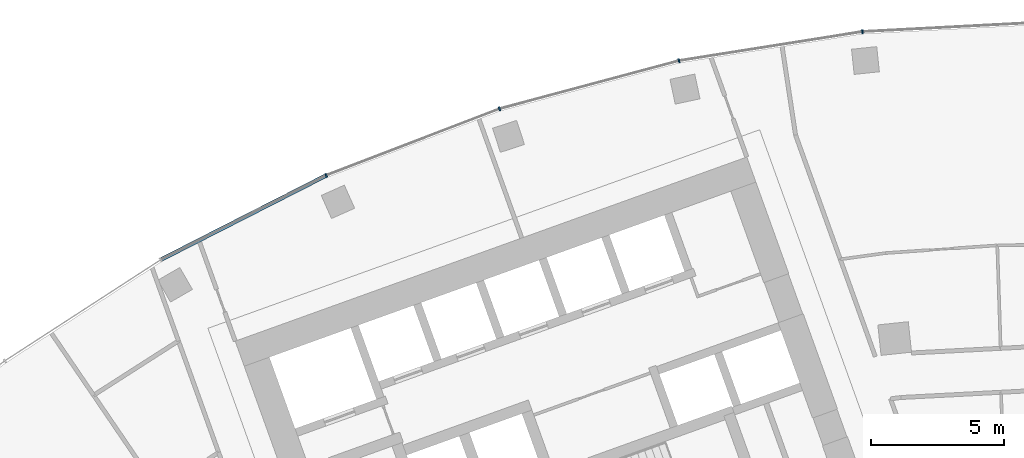
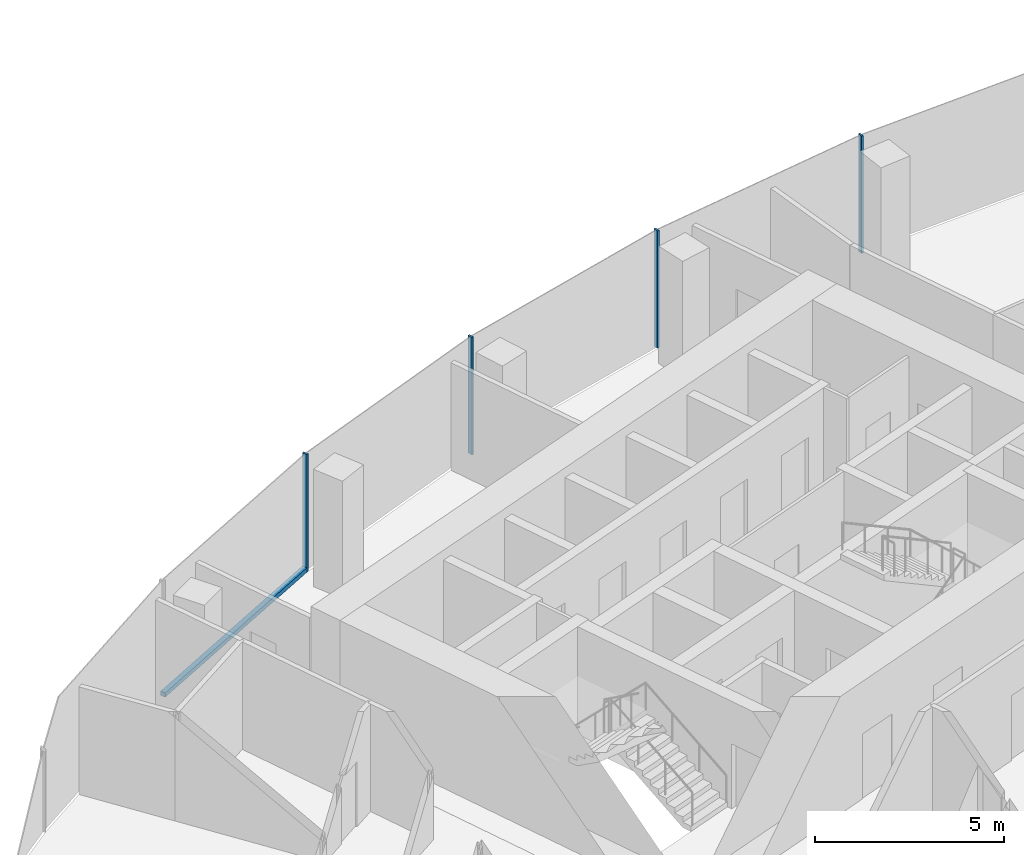
# One storey, part 5 of 19: 5 members, 1 element without a shape of its own.
"""IFC4 building model written with IfcOpenShell, lengths in metres."""

from ifc_helpers import new_model, si_unit, direction, frame, origin, origin_2d, place, context, subcontext, project, spatial, rectangle, extrude, material, layer, layer_set, material_profile, profile_set, type_object, element, aggregate, save


model = new_model("IFC4")

# Units and contexts
model_context = context("Model", 3, precision=1e-05, world=origin(), true_north=direction((0.0, 1.0)))
body_context = subcontext(model_context, "Body", "Model", "MODEL_VIEW")
ifc_project = project(units=[si_unit("LENGTHUNIT", "METRE"), si_unit("AREAUNIT", "SQUARE_METRE"), si_unit("VOLUMEUNIT", "CUBIC_METRE"), si_unit("PLANEANGLEUNIT", "RADIAN"), si_unit("MASSUNIT", "GRAM", prefix="KILO")], contexts=[model_context])

# Site, building, storey
site_placement = place(None, origin())
site = spatial("IfcSite", under=ifc_project, at=site_placement, CompositionType="ELEMENT")
building_placement = place(site_placement, origin())
building = spatial("IfcBuilding", under=site, at=building_placement, Name="Stone Belt Terrace Tower", CompositionType="ELEMENT")
storey_placement = place(building_placement, frame((0.0, 0.0, 204.800048828125)))
storey = spatial("IfcBuildingStorey", under=building, at=storey_placement, Name="L49", CompositionType="ELEMENT", Elevation=204.800048828125)

# Curtain wall, members
ifc_material = material(Name="Aluminium 6063-T6 anodised frame", Category="aluminium")
ifc_layer = layer(ifc_material, 0.14990234375)
ifc_layer_set = layer_set([ifc_layer], Name="CW-A unitised convex-face curtain wall")
curtain_wall_type = type_object("IfcCurtainWallType", Name="CW-A unitised convex-face curtain wall", PredefinedType="NOTDEFINED", material=ifc_layer_set)
curtain_wall_placement = place(storey_placement, origin())
curtain_wall = element("IfcCurtainWall", 1, at=curtain_wall_placement, inside=storey, type_object=curtain_wall_type, Name="CW-A convex face L49", PredefinedType="NOTDEFINED")
ifc_material_profile_1 = material_profile(ifc_material, rectangle(XDim=0.14990234375, YDim=0.06005859375, at=origin_2d()), Name="Aluminium 6063-T6 60x150")
ifc_profile_set_1 = profile_set([ifc_material_profile_1], Name="Aluminium 6063-T6 anodised frame")
member_type_1 = type_object("IfcMemberType", Name="CW-A mullion 60 x 150", PredefinedType="MULLION", material=ifc_profile_set_1)
member_1_placement = place(storey_placement, frame((-6.958984375, 66.21044921875, 0.0), z_axis=(0.0, 0.0, 1.0), x_axis=(0.104528463268, -0.994521895368, 0.0)))
member_1 = element("IfcMember", 2, at=member_1_placement, type_object=member_type_1, Name="CW-A mullion 10", PredefinedType="MULLION", context=body_context, shape_type="SweptSolid", body=[
    extrude(rectangle(XDim=0.14990234375, YDim=0.06005859375, at=origin_2d()), origin(), (0.0, 0.0, 1.0), 3.800048828125),
])
member_2_placement = place(storey_placement, frame((-13.841796875, 65.120361328125, 0.0), z_axis=(0.0, 0.0, 1.0), x_axis=(0.207911690818, -0.978147600734, 0.0)))
member_2 = element("IfcMember", 3, at=member_2_placement, type_object=member_type_1, Name="CW-A mullion 11", PredefinedType="MULLION", context=body_context, shape_type="SweptSolid", body=[
    extrude(rectangle(XDim=0.14990234375, YDim=0.06005859375, at=origin_2d()), origin(), (0.0, 0.0, 1.0), 3.800048828125),
])
member_3_placement = place(storey_placement, frame((-20.57275390625, 63.316650390625, 0.0), z_axis=(0.0, 0.0, 1.0), x_axis=(0.309016994375, -0.951056516295, 0.0)))
member_3 = element("IfcMember", 4, at=member_3_placement, type_object=member_type_1, Name="CW-A mullion 12", PredefinedType="MULLION", context=body_context, shape_type="SweptSolid", body=[
    extrude(rectangle(XDim=0.14990234375, YDim=0.06005859375, at=origin_2d()), origin(), (0.0, 0.0, 1.0), 3.800048828125),
])
member_4_placement = place(storey_placement, frame((-27.07861328125, 60.8193359375, 0.0), z_axis=(0.0, 0.0, 1.0), x_axis=(0.406736643076, -0.913545457643, 0.0)))
member_4 = element("IfcMember", 5, at=member_4_placement, type_object=member_type_1, Name="CW-A mullion 13", PredefinedType="MULLION", context=body_context, shape_type="SweptSolid", body=[
    extrude(rectangle(XDim=0.14990234375, YDim=0.06005859375, at=origin_2d()), origin(), (0.0, 0.0, 1.0), 3.800048828125),
])
ifc_material_profile_2 = material_profile(ifc_material, rectangle(XDim=0.14990234375, YDim=0.139892578125, at=origin_2d()), Name="Aluminium 6063-T6 150x140")
ifc_profile_set_2 = profile_set([ifc_material_profile_2], Name="Aluminium 6063-T6 anodised frame")
member_type_2 = type_object("IfcMemberType", Name="CW-A transom 140 x 150", PredefinedType="USERDEFINED", material=ifc_profile_set_2)
member_5_placement = place(storey_placement, frame((-27.108642578125, 60.803955078125, 0.070068359375), z_axis=(-0.891012226264, -0.453979308613, 0.0), x_axis=(0.453979308613, -0.891012226264, 0.0)))
member_5 = element("IfcMember", 6, at=member_5_placement, type_object=member_type_2, Name="CW-A transom 13.1", ObjectType="TRANSOM", PredefinedType="USERDEFINED", context=body_context, shape_type="SweptSolid", body=[
    extrude(rectangle(XDim=0.14990234375, YDim=0.139892578125, at=origin_2d()), origin(), (0.0, 0.0, 1.0), 6.90087890625),
])
aggregate(curtain_wall, [member_1, member_2, member_3, member_4, member_5])

save(model, "model.ifc")
